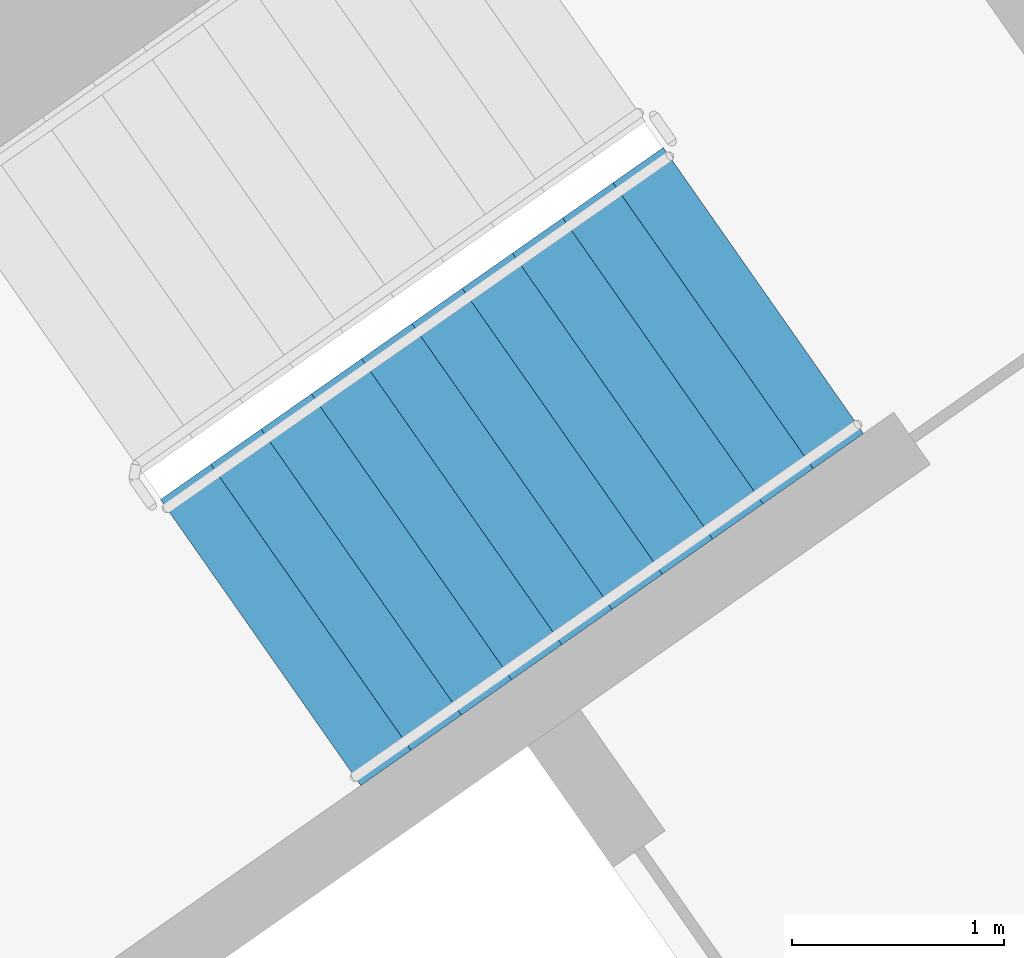
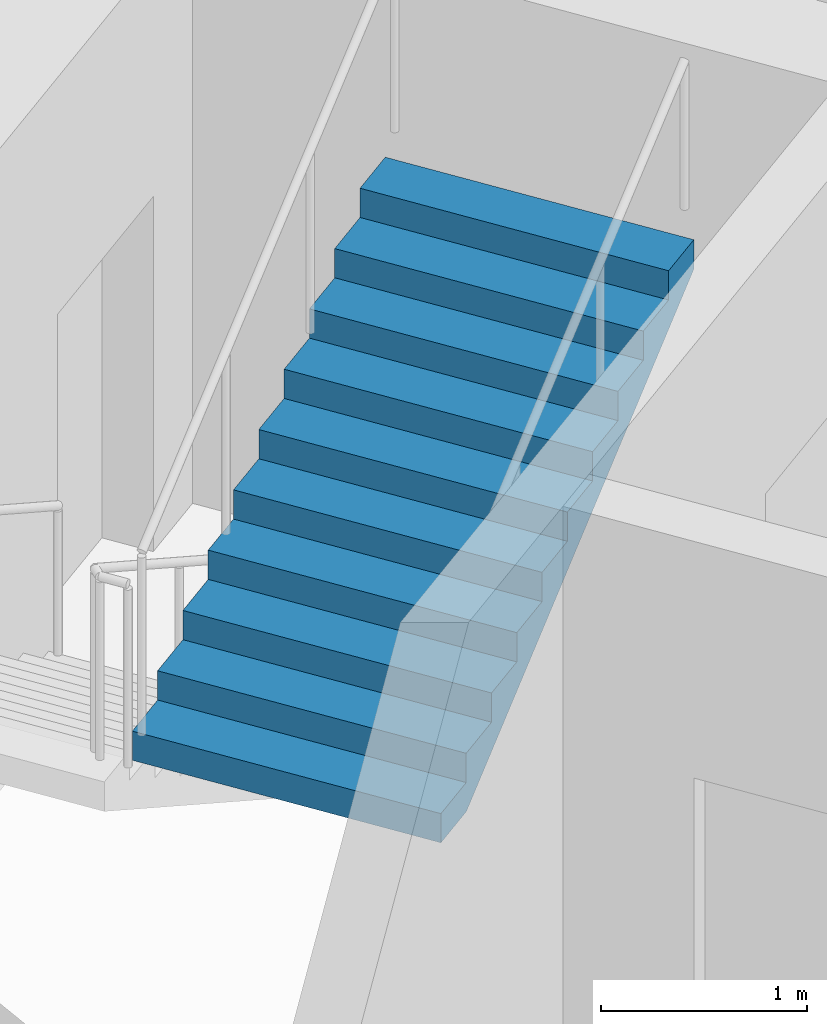
# One storey, part 17 of 27: 1 stair flight, 1 element without a shape of its own.
"""IFC4 building model written with IfcOpenShell, lengths in metres."""

from ifc_helpers import new_model, si_unit, direction, frame, origin, place, context, subcontext, project, spatial, faceted_brep, material, type_object, element, aggregate, save


model = new_model("IFC4")

# Units and contexts
model_context = context("Model", 3, precision=1e-05, world=origin(), true_north=direction((0.0, 1.0)))
body_context = subcontext(model_context, "Body", "Model", "MODEL_VIEW")
ifc_project = project(units=[si_unit("LENGTHUNIT", "METRE"), si_unit("AREAUNIT", "SQUARE_METRE"), si_unit("VOLUMEUNIT", "CUBIC_METRE"), si_unit("PLANEANGLEUNIT", "RADIAN"), si_unit("MASSUNIT", "GRAM", prefix="KILO")], contexts=[model_context])

# Site, building, storey
site_placement = place(None, origin())
site = spatial("IfcSite", under=ifc_project, at=site_placement, CompositionType="ELEMENT")
building_placement = place(site_placement, origin())
building = spatial("IfcBuilding", under=site, at=building_placement, Name="Qamariyya Broadcast Tower", CompositionType="ELEMENT")
storey_placement = place(building_placement, frame((0.0, 0.0, 187.300048828125)))
storey = spatial("IfcBuildingStorey", under=building, at=storey_placement, Name="L44", CompositionType="ELEMENT", Elevation=187.300048828125)

# Stair, stair flight
ifc_material = material(Name="Concrete C50/60", Category="concrete")
stair_type = type_object("IfcStairType", Name="Exit stair 22 risers of 173 mm", PredefinedType="HALF_TURN_STAIR", material=ifc_material)
stair_placement = place(storey_placement, origin())
stair = element("IfcStair", 1, at=stair_placement, inside=storey, type_object=stair_type, Name="L44 Stair E2", PredefinedType="HALF_TURN_STAIR")
stair_flight_type = type_object("IfcStairFlightType", Name="Exit stair flight 11 risers of 173 mm", PredefinedType="STRAIGHT", material=ifc_material)
stair_flight_placement = place(storey_placement, frame((39.215576171875, -50.822998046875, 1.89990234375), z_axis=(0.0, 0.0, 1.0), x_axis=(0.819152044289, 0.573576436351, 0.0)))
stair_flight = element("IfcStairFlight", 2, at=stair_flight_placement, type_object=stair_flight_type, Name="ST-E2 flight 2", NumberOfRisers=11, NumberOfTreads=10, PredefinedType="STRAIGHT", RiserHeight=0.172727273, TreadLength=0.29, context=body_context, shape_type="Brep", body=[
    faceted_brep([(0.0, 0.824951171875, 0.0), (0.0, 0.824951171875, 0.172607421875), (0.2900390625, 0.824951171875, 0.172607421875), (0.2900390625, 0.824951171875, 0.345458984375), (0.580078125, 0.824951171875, 0.345458984375), (0.580078125, 0.824951171875, 0.51806640625), (0.8701171875, 0.824951171875, 0.51806640625), (0.8701171875, 0.824951171875, 0.69091796875), (1.159912109375, 0.824951171875, 0.69091796875), (1.159912109375, 0.824951171875, 0.863525390625), (1.449951171875, 0.824951171875, 0.863525390625), (1.449951171875, 0.824951171875, 1.036376953125), (1.739990234375, 0.824951171875, 1.036376953125), (1.739990234375, 0.824951171875, 1.208984375), (2.030029296875, 0.824951171875, 1.208984375), (2.030029296875, 0.824951171875, 1.3818359375), (2.320068359375, 0.824951171875, 1.3818359375), (2.320068359375, 0.824951171875, 1.554443359375), (2.610107421875, 0.824951171875, 1.554443359375), (2.610107421875, 0.824951171875, 1.727294921875), (2.89990234375, 0.824951171875, 1.727294921875), (2.89990234375, 0.824951171875, 1.552734375), (0.29296875, 0.824951171875, 0.0), (0.29296875, -0.824951171875, 0.0), (2.89990234375, -0.824951171875, 1.552734375), (2.89990234375, -0.824951171875, 1.727294921875), (2.610107421875, -0.824951171875, 1.727294921875), (2.610107421875, -0.824951171875, 1.554443359375), (2.320068359375, -0.824951171875, 1.554443359375), (2.320068359375, -0.824951171875, 1.3818359375), (2.030029296875, -0.824951171875, 1.3818359375), (2.030029296875, -0.824951171875, 1.208984375), (1.739990234375, -0.824951171875, 1.208984375), (1.739990234375, -0.824951171875, 1.036376953125), (1.449951171875, -0.824951171875, 1.036376953125), (1.449951171875, -0.824951171875, 0.863525390625), (1.159912109375, -0.824951171875, 0.863525390625), (1.159912109375, -0.824951171875, 0.69091796875), (0.8701171875, -0.824951171875, 0.69091796875), (0.8701171875, -0.824951171875, 0.51806640625), (0.580078125, -0.824951171875, 0.51806640625), (0.580078125, -0.824951171875, 0.345458984375), (0.2900390625, -0.824951171875, 0.345458984375), (0.2900390625, -0.824951171875, 0.172607421875), (0.0, -0.824951171875, 0.172607421875), (0.0, -0.824951171875, 0.0), (0.0, 0.10009765625, 0.0), (0.0, 0.086669921875, 0.0), (0.0, 0.0732421875, 0.0), (0.0, 0.06005859375, 0.0), (0.0, 0.046630859375, 0.0), (0.0, 0.033447265625, 0.0), (0.0, 0.02001953125, 0.0), (0.0, 0.006591796875, 0.0), (0.0, -0.006591796875, 0.0), (0.0, -0.02001953125, 0.0), (0.0, -0.033447265625, 0.0), (0.0, -0.046630859375, 0.0), (0.0, -0.06005859375, 0.0), (0.0, -0.0732421875, 0.0), (0.0, -0.086669921875, 0.0), (0.0, -0.10009765625, 0.0), (0.0, -0.10009765625, 0.172607421875), (0.0, -0.086669921875, 0.172607421875), (0.0, -0.0732421875, 0.172607421875), (0.0, -0.06005859375, 0.172607421875), (0.0, -0.046630859375, 0.172607421875), (0.0, -0.033447265625, 0.172607421875), (0.0, -0.02001953125, 0.172607421875), (0.0, -0.006591796875, 0.172607421875), (0.0, 0.006591796875, 0.172607421875), (0.0, 0.02001953125, 0.172607421875), (0.0, 0.033447265625, 0.172607421875), (0.0, 0.046630859375, 0.172607421875), (0.0, 0.06005859375, 0.172607421875), (0.0, 0.0732421875, 0.172607421875), (0.0, 0.086669921875, 0.172607421875), (0.0, 0.10009765625, 0.172607421875), (0.2900390625, -0.10009765625, 0.172607421875), (0.2900390625, -0.086669921875, 0.172607421875), (0.2900390625, -0.0732421875, 0.172607421875), (0.2900390625, -0.06005859375, 0.172607421875), (0.2900390625, -0.046630859375, 0.172607421875), (0.2900390625, -0.033447265625, 0.172607421875), (0.2900390625, -0.02001953125, 0.172607421875), (0.2900390625, -0.006591796875, 0.172607421875), (0.2900390625, 0.006591796875, 0.172607421875), (0.2900390625, 0.02001953125, 0.172607421875), (0.2900390625, 0.033447265625, 0.172607421875), (0.2900390625, 0.046630859375, 0.172607421875), (0.2900390625, 0.06005859375, 0.172607421875), (0.2900390625, 0.0732421875, 0.172607421875), (0.2900390625, 0.086669921875, 0.172607421875), (0.2900390625, 0.10009765625, 0.172607421875), (0.2900390625, -0.10009765625, 0.345458984375), (0.2900390625, -0.086669921875, 0.345458984375), (0.2900390625, -0.0732421875, 0.345458984375), (0.2900390625, -0.06005859375, 0.345458984375), (0.2900390625, -0.046630859375, 0.345458984375), (0.2900390625, -0.033447265625, 0.345458984375), (0.2900390625, -0.02001953125, 0.345458984375), (0.2900390625, -0.006591796875, 0.345458984375), (0.2900390625, 0.006591796875, 0.345458984375), (0.2900390625, 0.02001953125, 0.345458984375), (0.2900390625, 0.033447265625, 0.345458984375), (0.2900390625, 0.046630859375, 0.345458984375), (0.2900390625, 0.06005859375, 0.345458984375), (0.2900390625, 0.0732421875, 0.345458984375), (0.2900390625, 0.086669921875, 0.345458984375), (0.2900390625, 0.10009765625, 0.345458984375), (0.580078125, -0.10009765625, 0.345458984375), (0.580078125, -0.086669921875, 0.345458984375), (0.580078125, -0.0732421875, 0.345458984375), (0.580078125, -0.06005859375, 0.345458984375), (0.580078125, -0.046630859375, 0.345458984375), (0.580078125, -0.033447265625, 0.345458984375), (0.580078125, -0.02001953125, 0.345458984375), (0.580078125, -0.006591796875, 0.345458984375), (0.580078125, 0.006591796875, 0.345458984375), (0.580078125, 0.02001953125, 0.345458984375), (0.580078125, 0.033447265625, 0.345458984375), (0.580078125, 0.046630859375, 0.345458984375), (0.580078125, 0.06005859375, 0.345458984375), (0.580078125, 0.0732421875, 0.345458984375), (0.580078125, 0.086669921875, 0.345458984375), (0.580078125, 0.10009765625, 0.345458984375), (0.580078125, -0.10009765625, 0.51806640625), (0.580078125, -0.086669921875, 0.51806640625), (0.580078125, -0.0732421875, 0.51806640625), (0.580078125, -0.06005859375, 0.51806640625), (0.580078125, -0.046630859375, 0.51806640625), (0.580078125, -0.033447265625, 0.51806640625), (0.580078125, -0.02001953125, 0.51806640625), (0.580078125, -0.006591796875, 0.51806640625), (0.580078125, 0.006591796875, 0.51806640625), (0.580078125, 0.02001953125, 0.51806640625), (0.580078125, 0.033447265625, 0.51806640625), (0.580078125, 0.046630859375, 0.51806640625), (0.580078125, 0.06005859375, 0.51806640625), (0.580078125, 0.0732421875, 0.51806640625), (0.580078125, 0.086669921875, 0.51806640625), (0.580078125, 0.10009765625, 0.51806640625), (0.8701171875, -0.10009765625, 0.51806640625), (0.8701171875, -0.086669921875, 0.51806640625), (0.8701171875, -0.0732421875, 0.51806640625), (0.8701171875, -0.06005859375, 0.51806640625), (0.8701171875, -0.046630859375, 0.51806640625), (0.8701171875, -0.033447265625, 0.51806640625), (0.8701171875, -0.02001953125, 0.51806640625), (0.8701171875, -0.006591796875, 0.51806640625), (0.8701171875, 0.006591796875, 0.51806640625), (0.8701171875, 0.02001953125, 0.51806640625), (0.8701171875, 0.033447265625, 0.51806640625), (0.8701171875, 0.046630859375, 0.51806640625), (0.8701171875, 0.06005859375, 0.51806640625), (0.8701171875, 0.0732421875, 0.51806640625), (0.8701171875, 0.086669921875, 0.51806640625), (0.8701171875, 0.10009765625, 0.51806640625), (0.8701171875, -0.10009765625, 0.69091796875), (0.8701171875, -0.086669921875, 0.69091796875), (0.8701171875, -0.0732421875, 0.69091796875), (0.8701171875, -0.06005859375, 0.69091796875), (0.8701171875, -0.046630859375, 0.69091796875), (0.8701171875, -0.033447265625, 0.69091796875), (0.8701171875, -0.02001953125, 0.69091796875), (0.8701171875, -0.006591796875, 0.69091796875), (0.8701171875, 0.006591796875, 0.69091796875), (0.8701171875, 0.02001953125, 0.69091796875), (0.8701171875, 0.033447265625, 0.69091796875), (0.8701171875, 0.046630859375, 0.69091796875), (0.8701171875, 0.06005859375, 0.69091796875), (0.8701171875, 0.0732421875, 0.69091796875), (0.8701171875, 0.086669921875, 0.69091796875), (0.8701171875, 0.10009765625, 0.69091796875), (1.159912109375, -0.10009765625, 0.69091796875), (1.159912109375, -0.086669921875, 0.69091796875), (1.159912109375, -0.0732421875, 0.69091796875), (1.159912109375, -0.06005859375, 0.69091796875), (1.159912109375, -0.046630859375, 0.69091796875), (1.159912109375, -0.033447265625, 0.69091796875), (1.159912109375, -0.02001953125, 0.69091796875), (1.159912109375, -0.006591796875, 0.69091796875), (1.159912109375, 0.006591796875, 0.69091796875), (1.159912109375, 0.02001953125, 0.69091796875), (1.159912109375, 0.033447265625, 0.69091796875), (1.159912109375, 0.046630859375, 0.69091796875), (1.159912109375, 0.06005859375, 0.69091796875), (1.159912109375, 0.0732421875, 0.69091796875), (1.159912109375, 0.086669921875, 0.69091796875), (1.159912109375, 0.10009765625, 0.69091796875), (1.159912109375, -0.10009765625, 0.863525390625), (1.159912109375, -0.086669921875, 0.863525390625), (1.159912109375, -0.0732421875, 0.863525390625), (1.159912109375, -0.06005859375, 0.863525390625), (1.159912109375, -0.046630859375, 0.863525390625), (1.159912109375, -0.033447265625, 0.863525390625), (1.159912109375, -0.02001953125, 0.863525390625), (1.159912109375, -0.006591796875, 0.863525390625), (1.159912109375, 0.006591796875, 0.863525390625), (1.159912109375, 0.02001953125, 0.863525390625), (1.159912109375, 0.033447265625, 0.863525390625), (1.159912109375, 0.046630859375, 0.863525390625), (1.159912109375, 0.06005859375, 0.863525390625), (1.159912109375, 0.0732421875, 0.863525390625), (1.159912109375, 0.086669921875, 0.863525390625), (1.159912109375, 0.10009765625, 0.863525390625), (1.449951171875, -0.10009765625, 0.863525390625), (1.449951171875, -0.086669921875, 0.863525390625), (1.449951171875, -0.0732421875, 0.863525390625), (1.449951171875, -0.06005859375, 0.863525390625), (1.449951171875, -0.046630859375, 0.863525390625), (1.449951171875, -0.033447265625, 0.863525390625), (1.449951171875, -0.02001953125, 0.863525390625), (1.449951171875, -0.006591796875, 0.863525390625), (1.449951171875, 0.006591796875, 0.863525390625), (1.449951171875, 0.02001953125, 0.863525390625), (1.449951171875, 0.033447265625, 0.863525390625), (1.449951171875, 0.046630859375, 0.863525390625), (1.449951171875, 0.06005859375, 0.863525390625), (1.449951171875, 0.0732421875, 0.863525390625), (1.449951171875, 0.086669921875, 0.863525390625), (1.449951171875, 0.10009765625, 0.863525390625), (1.449951171875, -0.10009765625, 1.036376953125), (1.449951171875, -0.086669921875, 1.036376953125), (1.449951171875, -0.0732421875, 1.036376953125), (1.449951171875, -0.06005859375, 1.036376953125), (1.449951171875, -0.046630859375, 1.036376953125), (1.449951171875, -0.033447265625, 1.036376953125), (1.449951171875, -0.02001953125, 1.036376953125), (1.449951171875, -0.006591796875, 1.036376953125), (1.449951171875, 0.006591796875, 1.036376953125), (1.449951171875, 0.02001953125, 1.036376953125), (1.449951171875, 0.033447265625, 1.036376953125), (1.449951171875, 0.046630859375, 1.036376953125), (1.449951171875, 0.06005859375, 1.036376953125), (1.449951171875, 0.0732421875, 1.036376953125), (1.449951171875, 0.086669921875, 1.036376953125), (1.449951171875, 0.10009765625, 1.036376953125), (1.739990234375, -0.10009765625, 1.036376953125), (1.739990234375, -0.086669921875, 1.036376953125), (1.739990234375, -0.0732421875, 1.036376953125), (1.739990234375, -0.06005859375, 1.036376953125), (1.739990234375, -0.046630859375, 1.036376953125), (1.739990234375, -0.033447265625, 1.036376953125), (1.739990234375, -0.02001953125, 1.036376953125), (1.739990234375, -0.006591796875, 1.036376953125), (1.739990234375, 0.006591796875, 1.036376953125), (1.739990234375, 0.02001953125, 1.036376953125), (1.739990234375, 0.033447265625, 1.036376953125), (1.739990234375, 0.046630859375, 1.036376953125), (1.739990234375, 0.06005859375, 1.036376953125), (1.739990234375, 0.0732421875, 1.036376953125), (1.739990234375, 0.086669921875, 1.036376953125), (1.739990234375, 0.10009765625, 1.036376953125), (1.739990234375, -0.10009765625, 1.208984375), (1.739990234375, -0.086669921875, 1.208984375), (1.739990234375, -0.0732421875, 1.208984375), (1.739990234375, -0.06005859375, 1.208984375), (1.739990234375, -0.046630859375, 1.208984375), (1.739990234375, -0.033447265625, 1.208984375), (1.739990234375, -0.02001953125, 1.208984375), (1.739990234375, -0.006591796875, 1.208984375), (1.739990234375, 0.006591796875, 1.208984375), (1.739990234375, 0.02001953125, 1.208984375), (1.739990234375, 0.033447265625, 1.208984375), (1.739990234375, 0.046630859375, 1.208984375), (1.739990234375, 0.06005859375, 1.208984375), (1.739990234375, 0.0732421875, 1.208984375), (1.739990234375, 0.086669921875, 1.208984375), (1.739990234375, 0.10009765625, 1.208984375), (2.030029296875, -0.10009765625, 1.208984375), (2.030029296875, -0.086669921875, 1.208984375), (2.030029296875, -0.0732421875, 1.208984375), (2.030029296875, -0.06005859375, 1.208984375), (2.030029296875, -0.046630859375, 1.208984375), (2.030029296875, -0.033447265625, 1.208984375), (2.030029296875, -0.02001953125, 1.208984375), (2.030029296875, -0.006591796875, 1.208984375), (2.030029296875, 0.006591796875, 1.208984375), (2.030029296875, 0.02001953125, 1.208984375), (2.030029296875, 0.033447265625, 1.208984375), (2.030029296875, 0.046630859375, 1.208984375), (2.030029296875, 0.06005859375, 1.208984375), (2.030029296875, 0.0732421875, 1.208984375), (2.030029296875, 0.086669921875, 1.208984375), (2.030029296875, 0.10009765625, 1.208984375), (2.030029296875, -0.10009765625, 1.3818359375), (2.030029296875, -0.086669921875, 1.3818359375), (2.030029296875, -0.0732421875, 1.3818359375), (2.030029296875, -0.06005859375, 1.3818359375), (2.030029296875, -0.046630859375, 1.3818359375), (2.030029296875, -0.033447265625, 1.3818359375), (2.030029296875, -0.02001953125, 1.3818359375), (2.030029296875, -0.006591796875, 1.3818359375), (2.030029296875, 0.006591796875, 1.3818359375), (2.030029296875, 0.02001953125, 1.3818359375), (2.030029296875, 0.033447265625, 1.3818359375), (2.030029296875, 0.046630859375, 1.3818359375), (2.030029296875, 0.06005859375, 1.3818359375), (2.030029296875, 0.0732421875, 1.3818359375), (2.030029296875, 0.086669921875, 1.3818359375), (2.030029296875, 0.10009765625, 1.3818359375), (2.320068359375, -0.10009765625, 1.3818359375), (2.320068359375, -0.086669921875, 1.3818359375), (2.320068359375, -0.0732421875, 1.3818359375), (2.320068359375, -0.06005859375, 1.3818359375), (2.320068359375, -0.046630859375, 1.3818359375), (2.320068359375, -0.033447265625, 1.3818359375), (2.320068359375, -0.02001953125, 1.3818359375), (2.320068359375, -0.006591796875, 1.3818359375), (2.320068359375, 0.006591796875, 1.3818359375), (2.320068359375, 0.02001953125, 1.3818359375), (2.320068359375, 0.033447265625, 1.3818359375), (2.320068359375, 0.046630859375, 1.3818359375), (2.320068359375, 0.06005859375, 1.3818359375), (2.320068359375, 0.0732421875, 1.3818359375), (2.320068359375, 0.086669921875, 1.3818359375), (2.320068359375, 0.10009765625, 1.3818359375), (2.320068359375, -0.10009765625, 1.554443359375), (2.320068359375, -0.086669921875, 1.554443359375), (2.320068359375, -0.0732421875, 1.554443359375), (2.320068359375, -0.06005859375, 1.554443359375), (2.320068359375, -0.046630859375, 1.554443359375), (2.320068359375, -0.033447265625, 1.554443359375), (2.320068359375, -0.02001953125, 1.554443359375), (2.320068359375, -0.006591796875, 1.554443359375), (2.320068359375, 0.006591796875, 1.554443359375), (2.320068359375, 0.02001953125, 1.554443359375), (2.320068359375, 0.033447265625, 1.554443359375), (2.320068359375, 0.046630859375, 1.554443359375), (2.320068359375, 0.06005859375, 1.554443359375), (2.320068359375, 0.0732421875, 1.554443359375), (2.320068359375, 0.086669921875, 1.554443359375), (2.320068359375, 0.10009765625, 1.554443359375), (2.610107421875, -0.10009765625, 1.554443359375), (2.610107421875, -0.086669921875, 1.554443359375), (2.610107421875, -0.0732421875, 1.554443359375), (2.610107421875, -0.06005859375, 1.554443359375), (2.610107421875, -0.046630859375, 1.554443359375), (2.610107421875, -0.033447265625, 1.554443359375), (2.610107421875, -0.02001953125, 1.554443359375), (2.610107421875, -0.006591796875, 1.554443359375), (2.610107421875, 0.006591796875, 1.554443359375), (2.610107421875, 0.02001953125, 1.554443359375), (2.610107421875, 0.033447265625, 1.554443359375), (2.610107421875, 0.046630859375, 1.554443359375), (2.610107421875, 0.06005859375, 1.554443359375), (2.610107421875, 0.0732421875, 1.554443359375), (2.610107421875, 0.086669921875, 1.554443359375), (2.610107421875, 0.10009765625, 1.554443359375), (2.610107421875, -0.10009765625, 1.727294921875), (2.610107421875, -0.086669921875, 1.727294921875), (2.610107421875, -0.0732421875, 1.727294921875), (2.610107421875, -0.06005859375, 1.727294921875), (2.610107421875, -0.046630859375, 1.727294921875), (2.610107421875, -0.033447265625, 1.727294921875), (2.610107421875, -0.02001953125, 1.727294921875), (2.610107421875, -0.006591796875, 1.727294921875), (2.610107421875, 0.006591796875, 1.727294921875), (2.610107421875, 0.02001953125, 1.727294921875), (2.610107421875, 0.033447265625, 1.727294921875), (2.610107421875, 0.046630859375, 1.727294921875), (2.610107421875, 0.06005859375, 1.727294921875), (2.610107421875, 0.0732421875, 1.727294921875), (2.610107421875, 0.086669921875, 1.727294921875), (2.610107421875, 0.10009765625, 1.727294921875), (2.89990234375, -0.10009765625, 1.727294921875), (2.89990234375, -0.086669921875, 1.727294921875), (2.89990234375, -0.0732421875, 1.727294921875), (2.89990234375, -0.06005859375, 1.727294921875), (2.89990234375, -0.046630859375, 1.727294921875), (2.89990234375, -0.033447265625, 1.727294921875), (2.89990234375, -0.02001953125, 1.727294921875), (2.89990234375, -0.006591796875, 1.727294921875), (2.89990234375, 0.006591796875, 1.727294921875), (2.89990234375, 0.02001953125, 1.727294921875), (2.89990234375, 0.033447265625, 1.727294921875), (2.89990234375, 0.046630859375, 1.727294921875), (2.89990234375, 0.06005859375, 1.727294921875), (2.89990234375, 0.0732421875, 1.727294921875), (2.89990234375, 0.086669921875, 1.727294921875), (2.89990234375, 0.10009765625, 1.727294921875), (2.89990234375, -0.10009765625, 1.552734375), (2.89990234375, -0.086669921875, 1.552734375), (2.89990234375, -0.0732421875, 1.552734375), (2.89990234375, -0.06005859375, 1.552734375), (2.89990234375, -0.046630859375, 1.552734375), (2.89990234375, -0.033447265625, 1.552734375), (2.89990234375, -0.02001953125, 1.552734375), (2.89990234375, -0.006591796875, 1.552734375), (2.89990234375, 0.006591796875, 1.552734375), (2.89990234375, 0.02001953125, 1.552734375), (2.89990234375, 0.033447265625, 1.552734375), (2.89990234375, 0.046630859375, 1.552734375), (2.89990234375, 0.06005859375, 1.552734375), (2.89990234375, 0.0732421875, 1.552734375), (2.89990234375, 0.086669921875, 1.552734375), (2.89990234375, 0.10009765625, 1.552734375), (0.29296875, -0.10009765625, 0.0), (0.29296875, -0.086669921875, 0.0), (0.29296875, -0.0732421875, 0.0), (0.29296875, -0.06005859375, 0.0), (0.29296875, -0.046630859375, 0.0), (0.29296875, -0.033447265625, 0.0), (0.29296875, -0.02001953125, 0.0), (0.29296875, -0.006591796875, 0.0), (0.29296875, 0.006591796875, 0.0), (0.29296875, 0.02001953125, 0.0), (0.29296875, 0.033447265625, 0.0), (0.29296875, 0.046630859375, 0.0), (0.29296875, 0.06005859375, 0.0), (0.29296875, 0.0732421875, 0.0), (0.29296875, 0.086669921875, 0.0), (0.29296875, 0.10009765625, 0.0)], [[[0, 1, 2, 3, 4, 5, 6, 7, 8, 9, 10, 11, 12, 13, 14, 15, 16, 17, 18, 19, 20, 21, 22]], [[23, 24, 25, 26, 27, 28, 29, 30, 31, 32, 33, 34, 35, 36, 37, 38, 39, 40, 41, 42, 43, 44, 45]], [[0, 46, 47, 48, 49, 50, 51, 52, 53, 54, 55, 56, 57, 58, 59, 60, 61, 45, 44, 62, 63, 64, 65, 66, 67, 68, 69, 70, 71, 72, 73, 74, 75, 76, 77, 1]], [[1, 77, 76, 75, 74, 73, 72, 71, 70, 69, 68, 67, 66, 65, 64, 63, 62, 44, 43, 78, 79, 80, 81, 82, 83, 84, 85, 86, 87, 88, 89, 90, 91, 92, 93, 2]], [[2, 93, 92, 91, 90, 89, 88, 87, 86, 85, 84, 83, 82, 81, 80, 79, 78, 43, 42, 94, 95, 96, 97, 98, 99, 100, 101, 102, 103, 104, 105, 106, 107, 108, 109, 3]], [[3, 109, 108, 107, 106, 105, 104, 103, 102, 101, 100, 99, 98, 97, 96, 95, 94, 42, 41, 110, 111, 112, 113, 114, 115, 116, 117, 118, 119, 120, 121, 122, 123, 124, 125, 4]], [[4, 125, 124, 123, 122, 121, 120, 119, 118, 117, 116, 115, 114, 113, 112, 111, 110, 41, 40, 126, 127, 128, 129, 130, 131, 132, 133, 134, 135, 136, 137, 138, 139, 140, 141, 5]], [[5, 141, 140, 139, 138, 137, 136, 135, 134, 133, 132, 131, 130, 129, 128, 127, 126, 40, 39, 142, 143, 144, 145, 146, 147, 148, 149, 150, 151, 152, 153, 154, 155, 156, 157, 6]], [[6, 157, 156, 155, 154, 153, 152, 151, 150, 149, 148, 147, 146, 145, 144, 143, 142, 39, 38, 158, 159, 160, 161, 162, 163, 164, 165, 166, 167, 168, 169, 170, 171, 172, 173, 7]], [[7, 173, 172, 171, 170, 169, 168, 167, 166, 165, 164, 163, 162, 161, 160, 159, 158, 38, 37, 174, 175, 176, 177, 178, 179, 180, 181, 182, 183, 184, 185, 186, 187, 188, 189, 8]], [[8, 189, 188, 187, 186, 185, 184, 183, 182, 181, 180, 179, 178, 177, 176, 175, 174, 37, 36, 190, 191, 192, 193, 194, 195, 196, 197, 198, 199, 200, 201, 202, 203, 204, 205, 9]], [[9, 205, 204, 203, 202, 201, 200, 199, 198, 197, 196, 195, 194, 193, 192, 191, 190, 36, 35, 206, 207, 208, 209, 210, 211, 212, 213, 214, 215, 216, 217, 218, 219, 220, 221, 10]], [[10, 221, 220, 219, 218, 217, 216, 215, 214, 213, 212, 211, 210, 209, 208, 207, 206, 35, 34, 222, 223, 224, 225, 226, 227, 228, 229, 230, 231, 232, 233, 234, 235, 236, 237, 11]], [[11, 237, 236, 235, 234, 233, 232, 231, 230, 229, 228, 227, 226, 225, 224, 223, 222, 34, 33, 238, 239, 240, 241, 242, 243, 244, 245, 246, 247, 248, 249, 250, 251, 252, 253, 12]], [[12, 253, 252, 251, 250, 249, 248, 247, 246, 245, 244, 243, 242, 241, 240, 239, 238, 33, 32, 254, 255, 256, 257, 258, 259, 260, 261, 262, 263, 264, 265, 266, 267, 268, 269, 13]], [[13, 269, 268, 267, 266, 265, 264, 263, 262, 261, 260, 259, 258, 257, 256, 255, 254, 32, 31, 270, 271, 272, 273, 274, 275, 276, 277, 278, 279, 280, 281, 282, 283, 284, 285, 14]], [[14, 285, 284, 283, 282, 281, 280, 279, 278, 277, 276, 275, 274, 273, 272, 271, 270, 31, 30, 286, 287, 288, 289, 290, 291, 292, 293, 294, 295, 296, 297, 298, 299, 300, 301, 15]], [[15, 301, 300, 299, 298, 297, 296, 295, 294, 293, 292, 291, 290, 289, 288, 287, 286, 30, 29, 302, 303, 304, 305, 306, 307, 308, 309, 310, 311, 312, 313, 314, 315, 316, 317, 16]], [[16, 317, 316, 315, 314, 313, 312, 311, 310, 309, 308, 307, 306, 305, 304, 303, 302, 29, 28, 318, 319, 320, 321, 322, 323, 324, 325, 326, 327, 328, 329, 330, 331, 332, 333, 17]], [[17, 333, 332, 331, 330, 329, 328, 327, 326, 325, 324, 323, 322, 321, 320, 319, 318, 28, 27, 334, 335, 336, 337, 338, 339, 340, 341, 342, 343, 344, 345, 346, 347, 348, 349, 18]], [[18, 349, 348, 347, 346, 345, 344, 343, 342, 341, 340, 339, 338, 337, 336, 335, 334, 27, 26, 350, 351, 352, 353, 354, 355, 356, 357, 358, 359, 360, 361, 362, 363, 364, 365, 19]], [[19, 365, 364, 363, 362, 361, 360, 359, 358, 357, 356, 355, 354, 353, 352, 351, 350, 26, 25, 366, 367, 368, 369, 370, 371, 372, 373, 374, 375, 376, 377, 378, 379, 380, 381, 20]], [[20, 381, 380, 379, 378, 377, 376, 375, 374, 373, 372, 371, 370, 369, 368, 367, 366, 25, 24, 382, 383, 384, 385, 386, 387, 388, 389, 390, 391, 392, 393, 394, 395, 396, 397, 21]], [[21, 397, 396, 395, 394, 393, 392, 391, 390, 389, 388, 387, 386, 385, 384, 383, 382, 24, 23, 398, 399, 400, 401, 402, 403, 404, 405, 406, 407, 408, 409, 410, 411, 412, 413, 22]], [[22, 413, 412, 411, 410, 409, 408, 407, 406, 405, 404, 403, 402, 401, 400, 399, 398, 23, 45, 61, 60, 59, 58, 57, 56, 55, 54, 53, 52, 51, 50, 49, 48, 47, 46, 0]]]),
])
aggregate(stair, [stair_flight])

save(model, "model.ifc")
